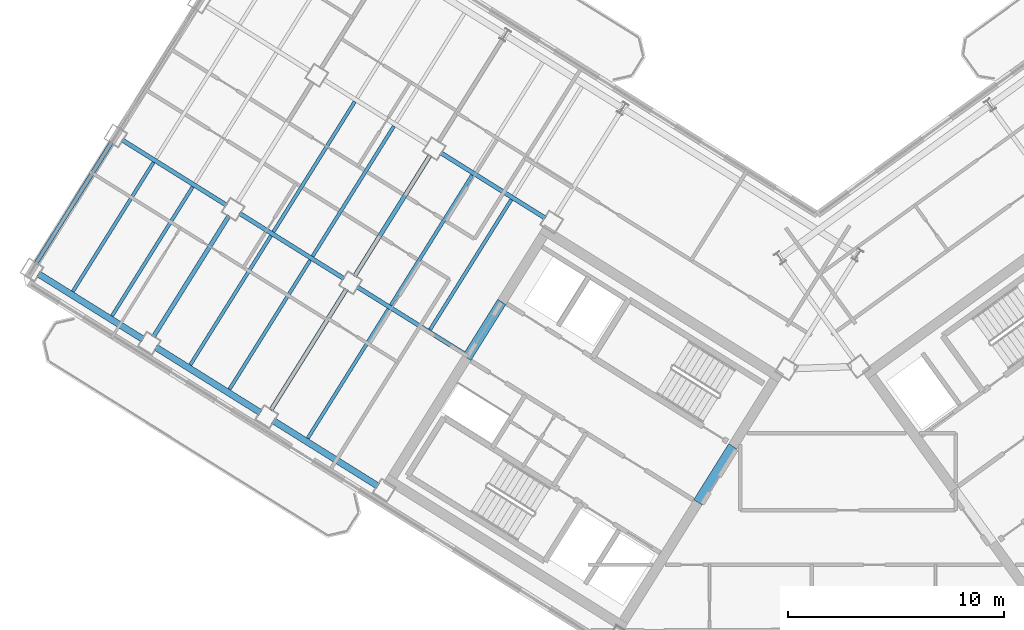
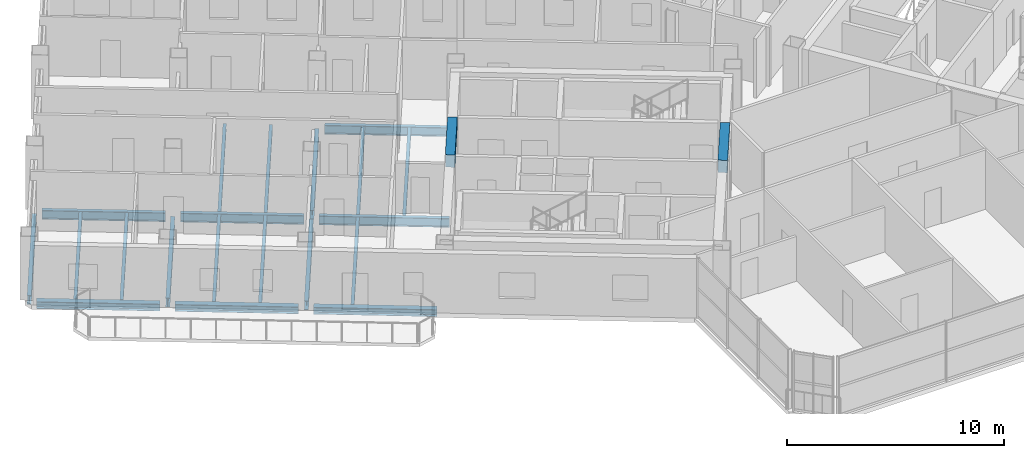
# One storey, part 5 of 21: 22 beams.
"""IFC4 building model written with IfcOpenShell, lengths in metres."""

from ifc_helpers import new_model, si_unit, direction, frame, origin, origin_2d, place, context, subcontext, project, spatial, rectangle, i_section, extrude, source, transform, mapped, material, material_profile, profile_set, type_object, element, save


model = new_model("IFC4")

# Units and contexts
model_context = context("Model", 3, precision=1e-05, world=origin(), true_north=direction((0.0, 1.0)))
body_context = subcontext(model_context, "Body", "Model", "MODEL_VIEW")
ifc_project = project(units=[si_unit("LENGTHUNIT", "METRE"), si_unit("AREAUNIT", "SQUARE_METRE"), si_unit("VOLUMEUNIT", "CUBIC_METRE"), si_unit("PLANEANGLEUNIT", "RADIAN"), si_unit("MASSUNIT", "GRAM", prefix="KILO")], contexts=[model_context])

# Site, building, storey
site_placement = place(None, origin())
site = spatial("IfcSite", under=ifc_project, at=site_placement, CompositionType="ELEMENT")
building_placement = place(site_placement, origin())
building = spatial("IfcBuilding", under=site, at=building_placement, Name="Tlacorven Tower", CompositionType="ELEMENT")
storey_placement = place(building_placement, frame((0.0, 0.0, 222.0)))
storey = spatial("IfcBuildingStorey", under=building, at=storey_placement, Name="L56", CompositionType="ELEMENT", Elevation=222.0)

# Beams
ifc_material_1 = material(Name="Concrete C60/75", Category="concrete")
ifc_material_profile_1 = material_profile(ifc_material_1, rectangle(XDim=0.449951171875, YDim=0.699951171875, at=origin_2d()), Name="RC 450X700")
ifc_profile_set_1 = profile_set([ifc_material_profile_1], Name="Concrete C60/75")
beam_type_1 = type_object("IfcBeamType", Name="BM-LNT-700", PredefinedType="LINTEL", material=ifc_profile_set_1)
shared_shape_1 = source(origin(), body_context, "Body", "SweptSolid", [
    extrude(rectangle(XDim=0.449951171875, YDim=0.699951171875, at=origin_2d()), origin(), (0.0, 0.0, 1.0), 3.050048828125),
])
beam_1_placement = place(storey_placement, frame((38.2998046875, 20.890625, 3.0), z_axis=(-0.529984549635, -0.848007297815, 0.0), x_axis=(0.848007297815, -0.529984549635, 0.0)))
element("IfcBeam", 1, at=beam_1_placement, inside=storey, type_object=beam_type_1, Name="L56 W core coupling lintel beam E1", PredefinedType="LINTEL", context=body_context, shape_type="MappedRepresentation", body=[
    mapped(shared_shape_1, transform((0.0, 0.0, 0.0), scale=1.0)),
])
shared_shape_2 = source(origin(), body_context, "Body", "SweptSolid", [
    extrude(rectangle(XDim=0.449951171875, YDim=0.699951171875, at=origin_2d()), origin(), (0.0, 0.0, 1.0), 3.0498046875),
])
beam_2_placement = place(storey_placement, frame((27.622802734375, 27.562255859375, 3.0), z_axis=(-0.529926983584, -0.848043272522, 0.0), x_axis=(0.848043272522, -0.529926983584, 0.0)))
element("IfcBeam", 2, at=beam_2_placement, inside=storey, type_object=beam_type_1, Name="L56 W core coupling lintel beam E2", PredefinedType="LINTEL", context=body_context, shape_type="MappedRepresentation", body=[
    mapped(shared_shape_2, transform((0.0, 0.0, 0.0), scale=1.0)),
])
ifc_material_2 = material(Name="Steel S355J2", Category="steel")
ifc_material_profile_2 = material_profile(ifc_material_2, i_section(OverallWidth=0.199951171875, OverallDepth=0.5, WebThickness=0.01025390625, FlangeThickness=0.01611328125, at=origin_2d()), Name="IPE 500")
ifc_profile_set_2 = profile_set([ifc_material_profile_2], Name="Steel S355J2")
beam_type_2 = type_object("IfcBeamType", Name="BM-TWR-500", PredefinedType="BEAM", material=ifc_profile_set_2)
shared_shape_3 = source(origin(), body_context, "Body", "SweptSolid", [
    extrude(i_section(OverallWidth=0.199951171875, OverallDepth=0.5, WebThickness=0.01025390625, FlangeThickness=0.01611328125, at=origin_2d()), origin(), (0.0, 0.0, 1.0), 6.010009765625),
])
beam_3_placement = place(storey_placement, frame((26.025634765625, 25.081787109375, -0.5), z_axis=(-0.848043944584, 0.529925908081, 0.0), x_axis=(-0.529925908081, -0.848043944584, 0.0)))
element("IfcBeam", 3, at=beam_3_placement, inside=storey, type_object=beam_type_2, Name="L56 beam BM-L56-WL3-3", PredefinedType="BEAM", context=body_context, shape_type="MappedRepresentation", body=[
    mapped(shared_shape_3, transform((0.0, 0.0, 0.0), scale=1.0)),
])
shared_shape_4 = source(origin(), body_context, "Body", "SweptSolid", [
    extrude(i_section(OverallWidth=0.199951171875, OverallDepth=0.5, WebThickness=0.01025390625, FlangeThickness=0.01611328125, at=origin_2d()), origin(), (0.0, 0.0, 1.0), 5.7001953125),
])
for number, where, z_axis, x_axis, name in (
    (4, (20.335205078125, 28.637451171875, -0.5), (-0.848036800771, 0.529937340199, 0.0), (-0.529937340199, -0.848036800771, 0.0), "L56 beam BM-L56-WL3-4"),
    (5, (14.90771484375, 32.029052734375, -0.5), (-0.848056048787, 0.529906537151, 0.0), (-0.529906537151, -0.848056048787, 0.0), "L56 beam BM-L56-WL3-5"),
):
    element("IfcBeam", number, at=place(storey_placement, frame(where, z_axis=z_axis, x_axis=x_axis)), inside=storey, type_object=beam_type_2, Name=name, PredefinedType="BEAM", context=body_context, shape_type="MappedRepresentation", body=[
        mapped(shared_shape_4, transform((0.0, 0.0, 0.0), scale=1.0)),
    ])
shared_shape_5 = source(origin(), body_context, "Body", "SweptSolid", [
    extrude(i_section(OverallWidth=0.199951171875, OverallDepth=0.5, WebThickness=0.01025390625, FlangeThickness=0.01611328125, at=origin_2d()), origin(), (0.0, 0.0, 1.0), 5.699951171875),
])
beam_4_placement = place(storey_placement, frame((29.631103515625, 31.436767578125, -0.5), z_axis=(-0.848044021115, 0.529925785607, 0.0), x_axis=(-0.529925785607, -0.848044021115, 0.0)))
element("IfcBeam", 6, at=beam_4_placement, inside=storey, type_object=beam_type_2, Name="L56 beam BM-L56-WL2-3", PredefinedType="BEAM", context=body_context, shape_type="MappedRepresentation", body=[
    mapped(shared_shape_5, transform((0.0, 0.0, 0.0), scale=1.0)),
])
shared_shape_6 = source(origin(), body_context, "Body", "SweptSolid", [
    extrude(i_section(OverallWidth=0.199951171875, OverallDepth=0.5, WebThickness=0.01025390625, FlangeThickness=0.01611328125, at=origin_2d()), origin(), (0.0, 0.0, 1.0), 6.599853515625),
])
beam_5_placement = place(storey_placement, frame((24.31494140625, 34.345947265625, -0.5), z_axis=(-0.529942412256, -0.848033631227, 0.0), x_axis=(0.848033631227, -0.529942412256, 0.0)))
element("IfcBeam", 7, at=beam_5_placement, inside=storey, type_object=beam_type_2, Name="L56 beam BM-L56-WT4-2", PredefinedType="BEAM", context=body_context, shape_type="MappedRepresentation", body=[
    mapped(shared_shape_6, transform((0.0, 0.0, 0.0), scale=1.0)),
])
shared_shape_7 = source(origin(), body_context, "Body", "SweptSolid", [
    extrude(i_section(OverallWidth=0.199951171875, OverallDepth=0.5, WebThickness=0.01025390625, FlangeThickness=0.01611328125, at=origin_2d()), origin(), (0.0, 0.0, 1.0), 6.60009765625),
])
for number, where, z_axis, x_axis, name in (
    (8, (20.446533203125, 28.1552734375, -0.5), (-0.529925788294, -0.848044019436, 0.0), (0.848044019436, -0.529925788294, 0.0), "L56 beam BM-L56-WT4-3"),
    (9, (15.01904296875, 31.546875, -0.5), (-0.529925788294, -0.848044019436, 0.0), (0.848044019436, -0.529925788294, 0.0), "L56 beam BM-L56-WT5-3"),
    (10, (9.591552734375, 34.938232421875, -0.5), (-0.529925788294, -0.848044019436, 0.0), (0.848044019436, -0.529925788294, 0.0), "L56 beam BM-L56-WT6-3"),
):
    element("IfcBeam", number, at=place(storey_placement, frame(where, z_axis=z_axis, x_axis=x_axis)), inside=storey, type_object=beam_type_2, Name=name, PredefinedType="BEAM", context=body_context, shape_type="MappedRepresentation", body=[
        mapped(shared_shape_7, transform((0.0, 0.0, 0.0), scale=1.0)),
    ])
ifc_material_profile_3 = material_profile(ifc_material_2, i_section(OverallWidth=0.159912109375, OverallDepth=0.330078125, WebThickness=0.007568359375, FlangeThickness=0.011474609375, at=origin_2d()), Name="IPE 330")
ifc_profile_set_3 = profile_set([ifc_material_profile_3], Name="Steel S355J2")
beam_type_3 = type_object("IfcBeamType", Name="BM-JST-330", PredefinedType="JOIST", material=ifc_profile_set_3)
shared_shape_8 = source(origin(), body_context, "Body", "SweptSolid", [
    extrude(i_section(OverallWidth=0.159912109375, OverallDepth=0.330078125, WebThickness=0.007568359375, FlangeThickness=0.011474609375, at=origin_2d()), origin(), (0.0, 0.0, 1.0), 7.0400390625),
])
for number, where, z_axis, x_axis, name in (
    (11, (18.767333984375, 29.493408203125, -0.4150390625), (-0.529930359501, -0.848041162963, 0.0), (0.848041162963, -0.529930359501, 0.0), "L56 beam BM-L56-WJ4-3-1"),
    (12, (16.9580078125, 30.6240234375, -0.4150390625), (-0.529930359501, -0.848041162963, 0.0), (0.848041162963, -0.529930359501, 0.0), "L56 beam BM-L56-WJ4-3-2"),
    (13, (13.33984375, 32.885009765625, -0.4150390625), (-0.529930359501, -0.848041162963, 0.0), (0.848041162963, -0.529930359501, 0.0), "L56 beam BM-L56-WJ5-3-1"),
):
    element("IfcBeam", number, at=place(storey_placement, frame(where, z_axis=z_axis, x_axis=x_axis)), inside=storey, type_object=beam_type_3, Name=name, PredefinedType="JOIST", context=body_context, shape_type="MappedRepresentation", body=[
        mapped(shared_shape_8, transform((0.0, 0.0, 0.0), scale=1.0)),
    ])
shared_shape_9 = source(origin(), body_context, "Body", "SweptSolid", [
    extrude(i_section(OverallWidth=0.159912109375, OverallDepth=0.330078125, WebThickness=0.007568359375, FlangeThickness=0.011474609375, at=origin_2d()), origin(), (0.0, 0.0, 1.0), 7.090087890625),
])
for number, where, z_axis, x_axis, name in (
    (14, (28.063232421875, 32.292724609375, -0.4150390625), (-0.529912270669, -0.84805246618, 0.0), (0.84805246618, -0.529912270669, 0.0), "L56 beam BM-L56-WJ3-2-1"),
    (15, (26.25390625, 33.42333984375, -0.4150390625), (-0.529912270669, -0.84805246618, 0.0), (0.84805246618, -0.529912270669, 0.0), "L56 beam BM-L56-WJ3-2-2"),
    (16, (22.6357421875, 35.684326171875, -0.4150390625), (-0.529937035031, -0.848036991471, 0.0), (0.848036991471, -0.529937035031, 0.0), "L56 beam BM-L56-WJ4-2-1"),
):
    element("IfcBeam", number, at=place(storey_placement, frame(where, z_axis=z_axis, x_axis=x_axis)), inside=storey, type_object=beam_type_3, Name=name, PredefinedType="JOIST", context=body_context, shape_type="MappedRepresentation", body=[
        mapped(shared_shape_9, transform((0.0, 0.0, 0.0), scale=1.0)),
    ])
shared_shape_10 = source(origin(), body_context, "Body", "SweptSolid", [
    extrude(i_section(OverallWidth=0.159912109375, OverallDepth=0.330078125, WebThickness=0.007568359375, FlangeThickness=0.011474609375, at=origin_2d()), origin(), (0.0, 0.0, 1.0), 7.08984375),
])
beam_6_placement = place(storey_placement, frame((20.826416015625, 36.814697265625, -0.4150390625), z_axis=(-0.529927745663, -0.848042796312, 0.0), x_axis=(0.848042796312, -0.529927745663, 0.0)))
element("IfcBeam", 17, at=beam_6_placement, inside=storey, type_object=beam_type_3, Name="L56 beam BM-L56-WJ4-2-2", PredefinedType="JOIST", context=body_context, shape_type="MappedRepresentation", body=[
    mapped(shared_shape_10, transform((0.0, 0.0, 0.0), scale=1.0)),
])
shared_shape_11 = source(origin(), body_context, "Body", "SweptSolid", [
    extrude(i_section(OverallWidth=0.159912109375, OverallDepth=0.330078125, WebThickness=0.007568359375, FlangeThickness=0.011474609375, at=origin_2d()), origin(), (0.0, 0.0, 1.0), 7.040283203125),
])
for number, where, z_axis, x_axis, name in (
    (18, (22.385498046875, 27.232666015625, -0.4150390625), (-0.529914775015, -0.848050901315, 0.0), (0.848050901315, -0.529914775015, 0.0), "L56 beam BM-L56-WJ3-3-2"),
    (19, (11.530517578125, 34.015625, -0.4150390625), (-0.529914775015, -0.848050901315, 0.0), (0.848050901315, -0.529914775015, 0.0), "L56 beam BM-L56-WJ5-3-2"),
):
    element("IfcBeam", number, at=place(storey_placement, frame(where, z_axis=z_axis, x_axis=x_axis)), inside=storey, type_object=beam_type_3, Name=name, PredefinedType="JOIST", context=body_context, shape_type="MappedRepresentation", body=[
        mapped(shared_shape_11, transform((0.0, 0.0, 0.0), scale=1.0)),
    ])
ifc_material_profile_4 = material_profile(ifc_material_2, i_section(OverallWidth=0.300048828125, OverallDepth=0.389892578125, WebThickness=0.010986328125, FlangeThickness=0.01904296875, at=origin_2d()), Name="HEA 400")
ifc_profile_set_4 = profile_set([ifc_material_profile_4], Name="Steel S355J2")
beam_type_4 = type_object("IfcBeamType", Name="BM-SPN-400", PredefinedType="SPANDREL", material=ifc_profile_set_4)
shared_shape_12 = source(origin(), body_context, "Body", "SweptSolid", [
    extrude(i_section(OverallWidth=0.300048828125, OverallDepth=0.389892578125, WebThickness=0.010986328125, FlangeThickness=0.01904296875, at=origin_2d()), origin(), (0.0, 0.0, 1.0), 5.699951171875),
])
beam_7_placement = place(storey_placement, frame((21.894287109375, 19.055419921875, -0.445068359375), z_axis=(-0.848044021115, 0.529925785607, 0.0), x_axis=(-0.529925785607, -0.848044021115, 0.0)))
element("IfcBeam", 20, at=beam_7_placement, inside=storey, type_object=beam_type_4, Name="L56 beam BM-L56-WL4-3", PredefinedType="SPANDREL", context=body_context, shape_type="MappedRepresentation", body=[
    mapped(shared_shape_12, transform((0.0, 0.0, 0.0), scale=1.0)),
])
shared_shape_13 = source(origin(), body_context, "Body", "SweptSolid", [
    extrude(i_section(OverallWidth=0.300048828125, OverallDepth=0.389892578125, WebThickness=0.010986328125, FlangeThickness=0.01904296875, at=origin_2d()), origin(), (0.0, 0.0, 1.0), 5.7001953125),
])
for number, where, z_axis, x_axis, name in (
    (21, (16.466796875, 22.44677734375, -0.445068359375), (-0.848056048787, 0.529906537151, 0.0), (-0.529906537151, -0.848056048787, 0.0), "L56 beam BM-L56-WL4-4"),
    (22, (11.039306640625, 25.83837890625, -0.445068359375), (-0.848056048787, 0.529906537151, 0.0), (-0.529906537151, -0.848056048787, 0.0), "L56 beam BM-L56-WL4-5"),
):
    element("IfcBeam", number, at=place(storey_placement, frame(where, z_axis=z_axis, x_axis=x_axis)), inside=storey, type_object=beam_type_4, Name=name, PredefinedType="SPANDREL", context=body_context, shape_type="MappedRepresentation", body=[
        mapped(shared_shape_13, transform((0.0, 0.0, 0.0), scale=1.0)),
    ])

save(model, "model.ifc")
